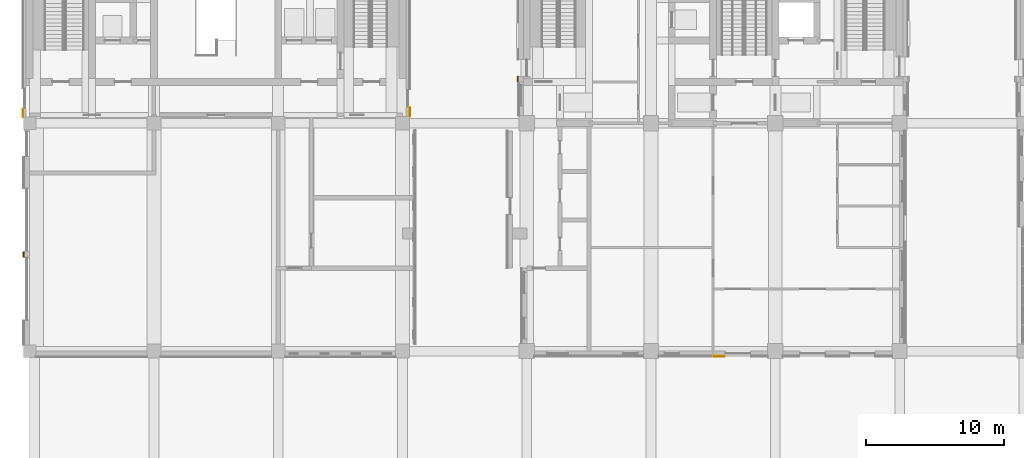
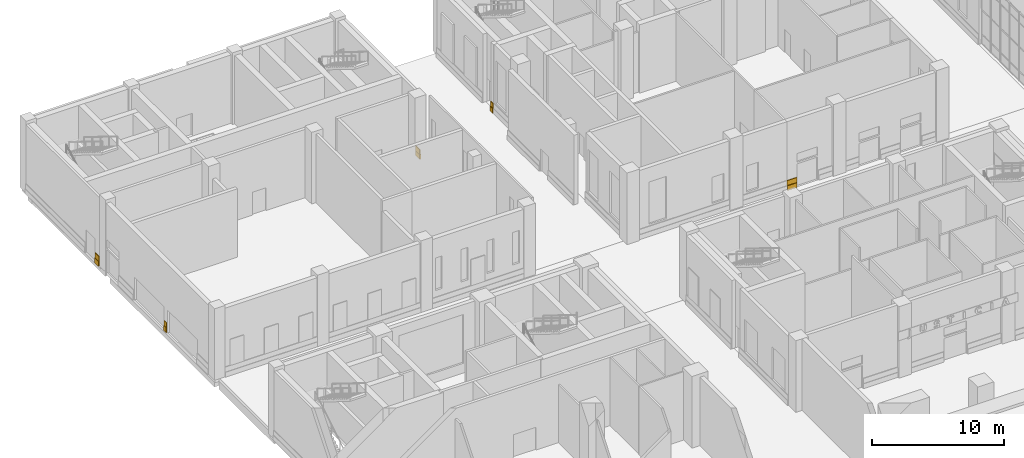
# One storey, part 32 of 35: 10 coverings.
"""IFC4 building model written with IfcOpenShell, lengths in metres."""

from ifc_helpers import new_model, si_unit, direction, frame, origin, origin_2d, place, context, subcontext, project, spatial, rectangle, extrude, material, type_object, element, save


model = new_model("IFC4")

# Units and contexts
model_context = context("Model", 3, precision=1e-05, world=origin(), true_north=direction((0.0, 1.0)))
body_context = subcontext(model_context, "Body", "Model", "MODEL_VIEW")
ifc_project = project(units=[si_unit("LENGTHUNIT", "METRE"), si_unit("AREAUNIT", "SQUARE_METRE"), si_unit("VOLUMEUNIT", "CUBIC_METRE"), si_unit("PLANEANGLEUNIT", "RADIAN"), si_unit("MASSUNIT", "GRAM", prefix="KILO")], contexts=[model_context])

# Site, building, storey
site_placement = place(None, origin())
site = spatial("IfcSite", under=ifc_project, at=site_placement, CompositionType="ELEMENT")
building_placement = place(site_placement, origin())
building = spatial("IfcBuilding", under=site, at=building_placement, Name="Aurelan Courthouse", CompositionType="ELEMENT")
storey_placement = place(building_placement, origin())
storey = spatial("IfcBuildingStorey", under=building, at=storey_placement, Name="L00", CompositionType="ELEMENT", Elevation=0.0)

# Coverings
ifc_material = material(Name="Granite cladding", Category="masonry")
covering_type_1 = type_object("IfcCoveringType", Name="Courtroom Block rusticated plinth course 450 x 100", PredefinedType="CLADDING", material=ifc_material)
covering_1_placement = place(storey_placement, frame((49.925048828125, 37.10009765625, 0.0), z_axis=(0.0, 0.0, 1.0), x_axis=(1.0, 0.0, 0.0)))
element("IfcCovering", 1, at=covering_1_placement, inside=storey, type_object=covering_type_1, Name="Plinth course PLC-V2-005", PredefinedType="CLADDING", context=body_context, shape_type="SweptSolid", body=[
    extrude(rectangle(XDim=0.85009765625, YDim=0.10009765625, at=origin_2d()), origin(), (0.0, 0.0, 1.0), 0.449951171875),
])
covering_2_placement = place(storey_placement, frame((49.925048828125, 37.1201171875, 0.4501953125), z_axis=(0.0, 0.0, 1.0), x_axis=(1.0, 0.0, 0.0)))
element("IfcCovering", 2, at=covering_2_placement, inside=storey, type_object=covering_type_1, Name="Plinth course PLC-V2-007", PredefinedType="CLADDING", context=body_context, shape_type="SweptSolid", body=[
    extrude(rectangle(XDim=0.85009765625, YDim=0.06005859375, at=origin_2d()), origin(), (0.0, 0.0, 1.0), 0.449951171875),
])
covering_3_placement = place(storey_placement, frame((35.35009765625, 57.199951171875, 0.0), z_axis=(0.0, 0.0, 1.0), x_axis=(1.0, 0.0, 0.0)))
element("IfcCovering", 3, at=covering_3_placement, inside=storey, type_object=covering_type_1, Name="Plinth course PLC-V2-029", PredefinedType="CLADDING", context=body_context, shape_type="SweptSolid", body=[
    extrude(rectangle(XDim=0.10009765625, YDim=0.39990234375, at=origin_2d()), origin(), (0.0, 0.0, 1.0), 0.449951171875),
])
covering_4_placement = place(storey_placement, frame((35.3701171875, 57.199951171875, 0.4501953125), z_axis=(0.0, 0.0, 1.0), x_axis=(1.0, 0.0, 0.0)))
element("IfcCovering", 4, at=covering_4_placement, inside=storey, type_object=covering_type_1, Name="Plinth course PLC-V2-030", PredefinedType="CLADDING", context=body_context, shape_type="SweptSolid", body=[
    extrude(rectangle(XDim=0.06005859375, YDim=0.39990234375, at=origin_2d()), origin(), (0.0, 0.0, 1.0), 0.449951171875),
])
covering_type_2 = type_object("IfcCoveringType", Name="Custody Suite rusticated plinth course 450 x 100", PredefinedType="CLADDING", material=ifc_material)
covering_5_placement = place(storey_placement, frame((-0.449951171875, 44.5, 0.0), z_axis=(0.0, 0.0, 1.0), x_axis=(1.0, 0.0, 0.0)))
element("IfcCovering", 5, at=covering_5_placement, inside=storey, type_object=covering_type_2, Name="Plinth course PLC-V6-008", PredefinedType="CLADDING", context=body_context, shape_type="SweptSolid", body=[
    extrude(rectangle(XDim=0.10009765625, YDim=0.39990234375, at=origin_2d()), origin(), (0.0, 0.0, 1.0), 0.449951171875),
])
covering_6_placement = place(storey_placement, frame((-0.429931640625, 44.5, 0.4501953125), z_axis=(0.0, 0.0, 1.0), x_axis=(1.0, 0.0, 0.0)))
element("IfcCovering", 6, at=covering_6_placement, inside=storey, type_object=covering_type_2, Name="Plinth course PLC-V6-011", PredefinedType="CLADDING", context=body_context, shape_type="SweptSolid", body=[
    extrude(rectangle(XDim=0.06005859375, YDim=0.39990234375, at=origin_2d()), origin(), (0.0, 0.0, 1.0), 0.449951171875),
])
covering_7_placement = place(storey_placement, frame((-0.5, 54.75, 0.0), z_axis=(0.0, 0.0, 1.0), x_axis=(1.0, 0.0, 0.0)))
element("IfcCovering", 7, at=covering_7_placement, inside=storey, type_object=covering_type_2, Name="Plinth course PLC-V6-015", PredefinedType="CLADDING", context=body_context, shape_type="SweptSolid", body=[
    extrude(rectangle(XDim=0.10009765625, YDim=0.60009765625, at=origin_2d()), origin(), (0.0, 0.0, 1.0), 0.449951171875),
])
covering_8_placement = place(storey_placement, frame((-0.47998046875, 54.75, 0.4501953125), z_axis=(0.0, 0.0, 1.0), x_axis=(1.0, 0.0, 0.0)))
element("IfcCovering", 8, at=covering_8_placement, inside=storey, type_object=covering_type_2, Name="Plinth course PLC-V6-017", PredefinedType="CLADDING", context=body_context, shape_type="SweptSolid", body=[
    extrude(rectangle(XDim=0.06005859375, YDim=0.60009765625, at=origin_2d()), origin(), (0.0, 0.0, 1.0), 0.449951171875),
])
covering_9_placement = place(storey_placement, frame((27.550048828125, 54.824951171875, 0.0), z_axis=(0.0, 0.0, 1.0), x_axis=(1.0, 0.0, 0.0)))
element("IfcCovering", 9, at=covering_9_placement, inside=storey, type_object=covering_type_2, Name="Plinth course PLC-V6-019", PredefinedType="CLADDING", context=body_context, shape_type="SweptSolid", body=[
    extrude(rectangle(XDim=0.10009765625, YDim=0.64990234375, at=origin_2d()), origin(), (0.0, 0.0, 1.0), 0.449951171875),
])
covering_10_placement = place(storey_placement, frame((27.530029296875, 54.824951171875, 0.4501953125), z_axis=(0.0, 0.0, 1.0), x_axis=(1.0, 0.0, 0.0)))
element("IfcCovering", 10, at=covering_10_placement, inside=storey, type_object=covering_type_2, Name="Plinth course PLC-V6-021", PredefinedType="CLADDING", context=body_context, shape_type="SweptSolid", body=[
    extrude(rectangle(XDim=0.06005859375, YDim=0.64990234375, at=origin_2d()), origin(), (0.0, 0.0, 1.0), 0.449951171875),
])

save(model, "model.ifc")
